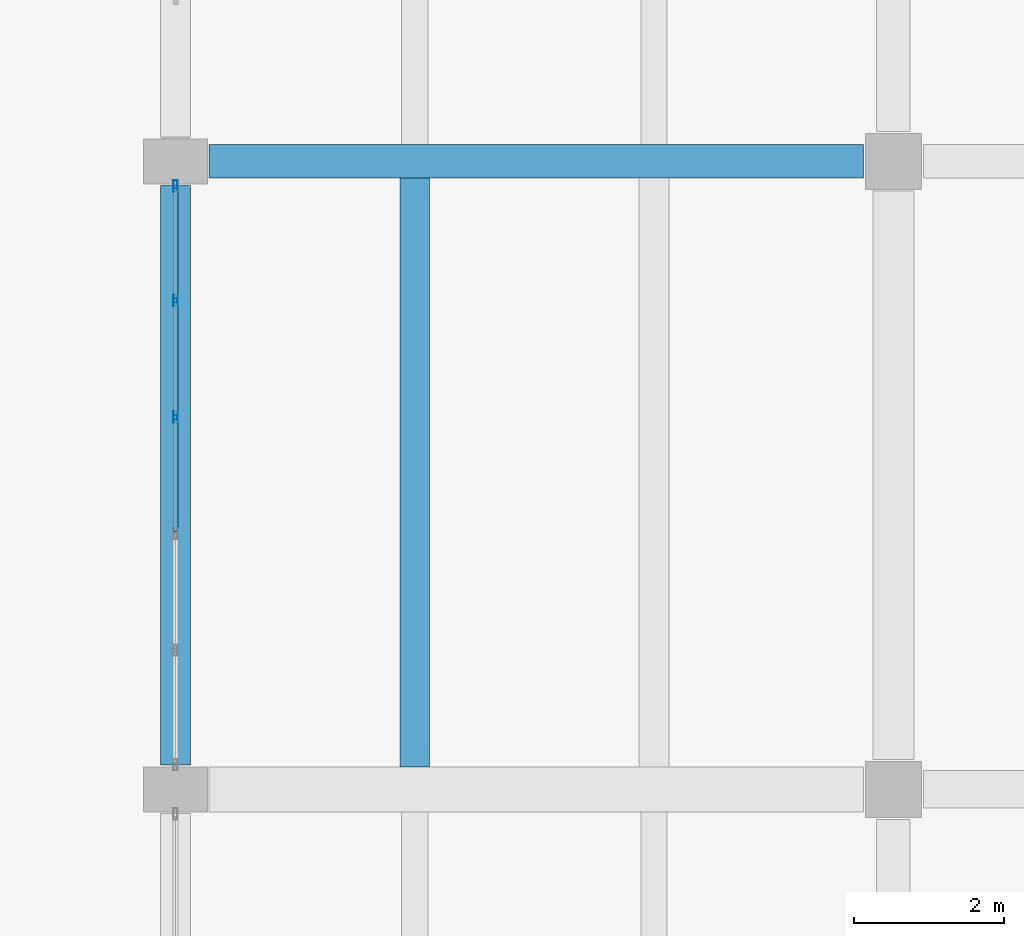
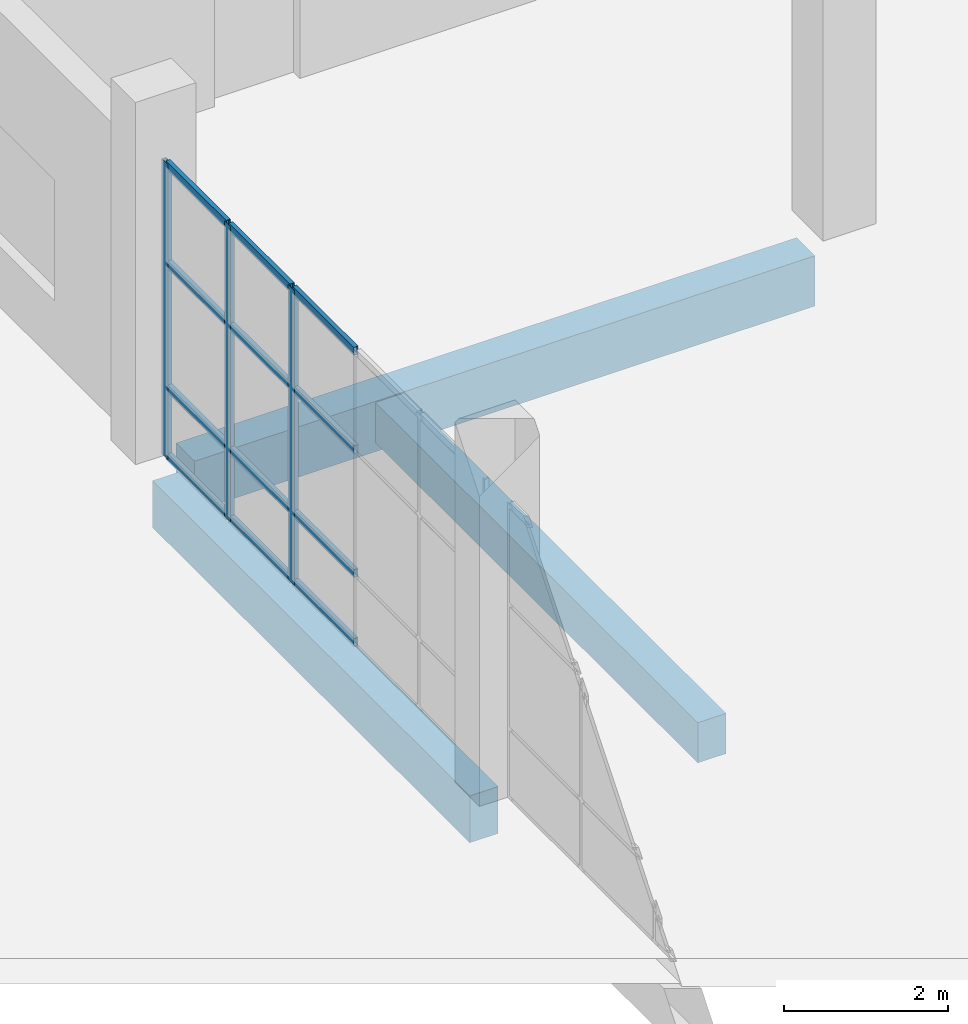
# One storey, part 41 of 78: 15 members, 3 beams, 1 element without a shape of its own.
"""IFC4 building model written with IfcOpenShell, lengths in metres."""

from ifc_helpers import new_model, si_unit, direction, frame, origin, origin_2d, place, context, subcontext, project, spatial, rectangle, hollow_rectangle, extrude, material, material_profile, profile_set, type_object, element, aggregate, save


model = new_model("IFC4")

# Units and contexts
model_context = context("Model", 3, precision=1e-05, world=origin(), true_north=direction((0.0, 1.0)))
body_context = subcontext(model_context, "Body", "Model", "MODEL_VIEW")
ifc_project = project(units=[si_unit("LENGTHUNIT", "METRE"), si_unit("AREAUNIT", "SQUARE_METRE"), si_unit("VOLUMEUNIT", "CUBIC_METRE"), si_unit("PLANEANGLEUNIT", "RADIAN"), si_unit("MASSUNIT", "GRAM", prefix="KILO")], contexts=[model_context])

# Site, building, storey
site_placement = place(None, origin())
site = spatial("IfcSite", under=ifc_project, at=site_placement, CompositionType="ELEMENT")
building_placement = place(site_placement, origin())
building = spatial("IfcBuilding", under=site, at=building_placement, Name="Pellamere Symphony Hall", CompositionType="ELEMENT")
storey_placement = place(building_placement, origin())
storey = spatial("IfcBuildingStorey", under=building, at=storey_placement, Name="L00", CompositionType="ELEMENT", Elevation=0.0)

# Curtain wall, members
ifc_material_1 = material(Name="Thermally Broken Anodised Aluminium 6063-T6 Curtain Wall", Category="aluminium")
curtain_wall_type = type_object("IfcCurtainWallType", Name="Curtain Wall CW-05 (Artists Wing North Studio Ribbon Curtain Wall)", PredefinedType="NOTDEFINED", material=ifc_material_1)
curtain_wall_placement = place(storey_placement, origin())
curtain_wall = element("IfcCurtainWall", 1, at=curtain_wall_placement, inside=storey, type_object=curtain_wall_type, Name="Sculpture Court East Wing Curtain Wall (L00 Bay 4)", PredefinedType="NOTDEFINED")
ifc_material_2 = material(Name="Anodised Architectural Aluminium 6063-T6", Category="aluminium")
ifc_material_profile_1 = material_profile(ifc_material_2, hollow_rectangle(XDim=0.06005859375, YDim=0.14990234375, WallThickness=0.00390625, at=origin_2d()), Name="ALU-M60X150X4")
ifc_profile_set_1 = profile_set([ifc_material_profile_1], Name="Anodised Architectural Aluminium 6063-T6")
member_type_1 = type_object("IfcMemberType", Name="Curtain Wall Mullion ML-03 ALU-M60X150X4", PredefinedType="MULLION", material=ifc_profile_set_1)
member_1_placement = place(storey_placement, frame((138.0, 90.179931640625, 0.0), z_axis=(0.0, 0.0, 1.0), x_axis=(-1.0, 0.0, 0.0)))
member_1 = element("IfcMember", 2, at=member_1_placement, type_object=member_type_1, Name="CW5-129 crystal mullion 4", PredefinedType="MULLION", context=body_context, shape_type="SweptSolid", body=[
    extrude(hollow_rectangle(XDim=0.06005859375, YDim=0.14990234375, WallThickness=0.00390625, at=origin_2d()), origin(), (0.0, 0.0, 1.0), 4.39990234375),
])
member_2_placement = place(storey_placement, frame((138.0, 91.739990234375, 0.0), z_axis=(0.0, 0.0, 1.0), x_axis=(-1.0, 0.0, 0.0)))
member_2 = element("IfcMember", 3, at=member_2_placement, type_object=member_type_1, Name="CW5-129 crystal mullion 5", PredefinedType="MULLION", context=body_context, shape_type="SweptSolid", body=[
    extrude(hollow_rectangle(XDim=0.06005859375, YDim=0.14990234375, WallThickness=0.00390625, at=origin_2d()), origin(), (0.0, 0.0, 1.0), 4.39990234375),
])
member_3_placement = place(storey_placement, frame((138.0, 93.27001953125, 0.0), z_axis=(0.0, 0.0, 1.0), x_axis=(-1.0, 0.0, 0.0)))
member_3 = element("IfcMember", 4, at=member_3_placement, type_object=member_type_1, Name="CW5-129 crystal mullion 6", PredefinedType="MULLION", context=body_context, shape_type="SweptSolid", body=[
    extrude(hollow_rectangle(XDim=0.06005859375, YDim=0.14990234375, WallThickness=0.00390625, at=origin_2d()), origin(), (0.0, 0.0, 1.0), 4.39990234375),
])
ifc_material_profile_2 = material_profile(ifc_material_2, hollow_rectangle(XDim=0.06005859375, YDim=0.1201171875, WallThickness=0.00390625, at=origin_2d()), Name="ALU-T60X120X4")
ifc_profile_set_2 = profile_set([ifc_material_profile_2], Name="Anodised Architectural Aluminium 6063-T6")
member_type_2 = type_object("IfcMemberType", Name="Curtain Wall Transom TR-03 ALU-T60X120X4", PredefinedType="USERDEFINED", material=ifc_profile_set_2)
member_4_placement = place(storey_placement, frame((138.0, 88.64990234375, 0.030029296875), z_axis=(0.0, 1.0, 0.0), x_axis=(-1.0, 0.0, 0.0)))
member_4 = element("IfcMember", 5, at=member_4_placement, type_object=member_type_2, Name="CW5-129 crystal transom 3.1", ObjectType="TRANSOM", PredefinedType="USERDEFINED", context=body_context, shape_type="SweptSolid", body=[
    extrude(hollow_rectangle(XDim=0.06005859375, YDim=0.1201171875, WallThickness=0.00390625, at=origin_2d()), origin(), (0.0, 0.0, 1.0), 1.5),
])
member_5_placement = place(storey_placement, frame((138.0, 88.64990234375, 1.055908203125), z_axis=(0.0, 1.0, 0.0), x_axis=(-1.0, 0.0, 0.0)))
member_5 = element("IfcMember", 6, at=member_5_placement, type_object=member_type_2, Name="CW5-129 crystal transom 3.2", ObjectType="TRANSOM", PredefinedType="USERDEFINED", context=body_context, shape_type="SweptSolid", body=[
    extrude(hollow_rectangle(XDim=0.06005859375, YDim=0.1201171875, WallThickness=0.00390625, at=origin_2d()), origin(), (0.0, 0.0, 1.0), 1.5),
])
member_6_placement = place(storey_placement, frame((138.0, 88.64990234375, 2.904052734375), z_axis=(0.0, 1.0, 0.0), x_axis=(-1.0, 0.0, 0.0)))
member_6 = element("IfcMember", 7, at=member_6_placement, type_object=member_type_2, Name="CW5-129 crystal transom 3.3", ObjectType="TRANSOM", PredefinedType="USERDEFINED", context=body_context, shape_type="SweptSolid", body=[
    extrude(hollow_rectangle(XDim=0.06005859375, YDim=0.1201171875, WallThickness=0.00390625, at=origin_2d()), origin(), (0.0, 0.0, 1.0), 1.5),
])
member_7_placement = place(storey_placement, frame((138.0, 88.64990234375, 4.3701171875), z_axis=(0.0, 1.0, 0.0), x_axis=(-1.0, 0.0, 0.0)))
member_7 = element("IfcMember", 8, at=member_7_placement, type_object=member_type_2, Name="CW5-129 crystal transom 3.4", ObjectType="TRANSOM", PredefinedType="USERDEFINED", context=body_context, shape_type="SweptSolid", body=[
    extrude(hollow_rectangle(XDim=0.06005859375, YDim=0.1201171875, WallThickness=0.00390625, at=origin_2d()), origin(), (0.0, 0.0, 1.0), 1.5),
])
member_8_placement = place(storey_placement, frame((138.0, 90.2099609375, 0.030029296875), z_axis=(0.0, 1.0, 0.0), x_axis=(-1.0, 0.0, 0.0)))
member_8 = element("IfcMember", 9, at=member_8_placement, type_object=member_type_2, Name="CW5-129 crystal transom 4.1", ObjectType="TRANSOM", PredefinedType="USERDEFINED", context=body_context, shape_type="SweptSolid", body=[
    extrude(hollow_rectangle(XDim=0.06005859375, YDim=0.1201171875, WallThickness=0.00390625, at=origin_2d()), origin(), (0.0, 0.0, 1.0), 1.5),
])
member_9_placement = place(storey_placement, frame((138.0, 90.2099609375, 1.055908203125), z_axis=(0.0, 1.0, 0.0), x_axis=(-1.0, 0.0, 0.0)))
member_9 = element("IfcMember", 10, at=member_9_placement, type_object=member_type_2, Name="CW5-129 crystal transom 4.2", ObjectType="TRANSOM", PredefinedType="USERDEFINED", context=body_context, shape_type="SweptSolid", body=[
    extrude(hollow_rectangle(XDim=0.06005859375, YDim=0.1201171875, WallThickness=0.00390625, at=origin_2d()), origin(), (0.0, 0.0, 1.0), 1.5),
])
member_10_placement = place(storey_placement, frame((138.0, 90.2099609375, 2.904052734375), z_axis=(0.0, 1.0, 0.0), x_axis=(-1.0, 0.0, 0.0)))
member_10 = element("IfcMember", 11, at=member_10_placement, type_object=member_type_2, Name="CW5-129 crystal transom 4.3", ObjectType="TRANSOM", PredefinedType="USERDEFINED", context=body_context, shape_type="SweptSolid", body=[
    extrude(hollow_rectangle(XDim=0.06005859375, YDim=0.1201171875, WallThickness=0.00390625, at=origin_2d()), origin(), (0.0, 0.0, 1.0), 1.5),
])
member_11_placement = place(storey_placement, frame((138.0, 90.2099609375, 4.3701171875), z_axis=(0.0, 1.0, 0.0), x_axis=(-1.0, 0.0, 0.0)))
member_11 = element("IfcMember", 12, at=member_11_placement, type_object=member_type_2, Name="CW5-129 crystal transom 4.4", ObjectType="TRANSOM", PredefinedType="USERDEFINED", context=body_context, shape_type="SweptSolid", body=[
    extrude(hollow_rectangle(XDim=0.06005859375, YDim=0.1201171875, WallThickness=0.00390625, at=origin_2d()), origin(), (0.0, 0.0, 1.0), 1.5),
])
member_12_placement = place(storey_placement, frame((138.0, 91.77001953125, 0.030029296875), z_axis=(0.0, 1.0, 0.0), x_axis=(-1.0, 0.0, 0.0)))
member_12 = element("IfcMember", 13, at=member_12_placement, type_object=member_type_2, Name="CW5-129 crystal transom 5.1", ObjectType="TRANSOM", PredefinedType="USERDEFINED", context=body_context, shape_type="SweptSolid", body=[
    extrude(hollow_rectangle(XDim=0.06005859375, YDim=0.1201171875, WallThickness=0.00390625, at=origin_2d()), origin(), (0.0, 0.0, 1.0), 1.469970703125),
])
member_13_placement = place(storey_placement, frame((138.0, 91.77001953125, 1.055908203125), z_axis=(0.0, 1.0, 0.0), x_axis=(-1.0, 0.0, 0.0)))
member_13 = element("IfcMember", 14, at=member_13_placement, type_object=member_type_2, Name="CW5-129 crystal transom 5.2", ObjectType="TRANSOM", PredefinedType="USERDEFINED", context=body_context, shape_type="SweptSolid", body=[
    extrude(hollow_rectangle(XDim=0.06005859375, YDim=0.1201171875, WallThickness=0.00390625, at=origin_2d()), origin(), (0.0, 0.0, 1.0), 1.469970703125),
])
member_14_placement = place(storey_placement, frame((138.0, 91.77001953125, 2.904052734375), z_axis=(0.0, 1.0, 0.0), x_axis=(-1.0, 0.0, 0.0)))
member_14 = element("IfcMember", 15, at=member_14_placement, type_object=member_type_2, Name="CW5-129 crystal transom 5.3", ObjectType="TRANSOM", PredefinedType="USERDEFINED", context=body_context, shape_type="SweptSolid", body=[
    extrude(hollow_rectangle(XDim=0.06005859375, YDim=0.1201171875, WallThickness=0.00390625, at=origin_2d()), origin(), (0.0, 0.0, 1.0), 1.469970703125),
])
member_15_placement = place(storey_placement, frame((138.0, 91.77001953125, 4.3701171875), z_axis=(0.0, 1.0, 0.0), x_axis=(-1.0, 0.0, 0.0)))
member_15 = element("IfcMember", 16, at=member_15_placement, type_object=member_type_2, Name="CW5-129 crystal transom 5.4", ObjectType="TRANSOM", PredefinedType="USERDEFINED", context=body_context, shape_type="SweptSolid", body=[
    extrude(hollow_rectangle(XDim=0.06005859375, YDim=0.1201171875, WallThickness=0.00390625, at=origin_2d()), origin(), (0.0, 0.0, 1.0), 1.469970703125),
])
aggregate(curtain_wall, [member_1, member_2, member_3, member_4, member_5, member_6, member_7, member_8, member_9, member_10, member_11, member_12, member_13, member_14, member_15])

# Beams
ifc_material_3 = material(Name="Concrete 40 MPa", Category="concrete")
ifc_material_profile_3 = material_profile(ifc_material_3, rectangle(XDim=0.39990234375, YDim=0.60009765625, at=origin_2d()), Name="RC 400x600")
ifc_profile_set_3 = profile_set([ifc_material_profile_3], Name="Concrete 40 MPa")
beam_type_1 = type_object("IfcBeamType", Name="RC CB-09 400x600", PredefinedType="BEAM", material=ifc_profile_set_3)
beam_1_placement = place(storey_placement, frame((141.199951171875, 85.5, -0.614990234375), z_axis=(0.0, 1.0, 0.0), x_axis=(-1.0, 0.0, 0.0)))
element("IfcBeam", 17, at=beam_1_placement, inside=storey, type_object=beam_type_1, Name="Secondary Floor Beam CB-09-A1711 (L00)", PredefinedType="BEAM", context=body_context, shape_type="SweptSolid", body=[
    extrude(rectangle(XDim=0.39990234375, YDim=0.60009765625, at=origin_2d()), origin(), (0.0, 0.0, 1.0), 7.875),
])
ifc_material_profile_4 = material_profile(ifc_material_3, rectangle(XDim=0.449951171875, YDim=0.75, at=origin_2d()), Name="RC 450x750")
ifc_profile_set_4 = profile_set([ifc_material_profile_4], Name="Concrete 40 MPa")
beam_type_2 = type_object("IfcBeamType", Name="RC CB-12 450x750", PredefinedType="SPANDREL", material=ifc_profile_set_4)
beam_2_placement = place(storey_placement, frame((138.449951171875, 93.60009765625, -0.675048828125), z_axis=(1.0, 0.0, 0.0), x_axis=(0.0, 1.0, 0.0)))
element("IfcBeam", 18, at=beam_2_placement, inside=storey, type_object=beam_type_2, Name="Girder CB-12-X0170 (L00)", PredefinedType="SPANDREL", context=body_context, shape_type="SweptSolid", body=[
    extrude(rectangle(XDim=0.449951171875, YDim=0.75, at=origin_2d()), origin(), (0.0, 0.0, 1.0), 8.75),
])
ifc_material_profile_5 = material_profile(ifc_material_3, rectangle(XDim=0.39990234375, YDim=0.699951171875, at=origin_2d()), Name="RC 400x700")
ifc_profile_set_5 = profile_set([ifc_material_profile_5], Name="Concrete 40 MPa")
beam_type_3 = type_object("IfcBeamType", Name="RC CB-13 400x700", PredefinedType="SPANDREL", material=ifc_profile_set_5)
beam_3_placement = place(storey_placement, frame((138.0, 85.52490234375, -0.64990234375), z_axis=(0.0, 1.0, 0.0), x_axis=(-1.0, 0.0, 0.0)))
element("IfcBeam", 19, at=beam_3_placement, inside=storey, type_object=beam_type_3, Name="Girder CB-13-Y0344 (L00)", PredefinedType="SPANDREL", context=body_context, shape_type="SweptSolid", body=[
    extrude(rectangle(XDim=0.39990234375, YDim=0.699951171875, at=origin_2d()), origin(), (0.0, 0.0, 1.0), 7.75),
])

save(model, "model.ifc")
